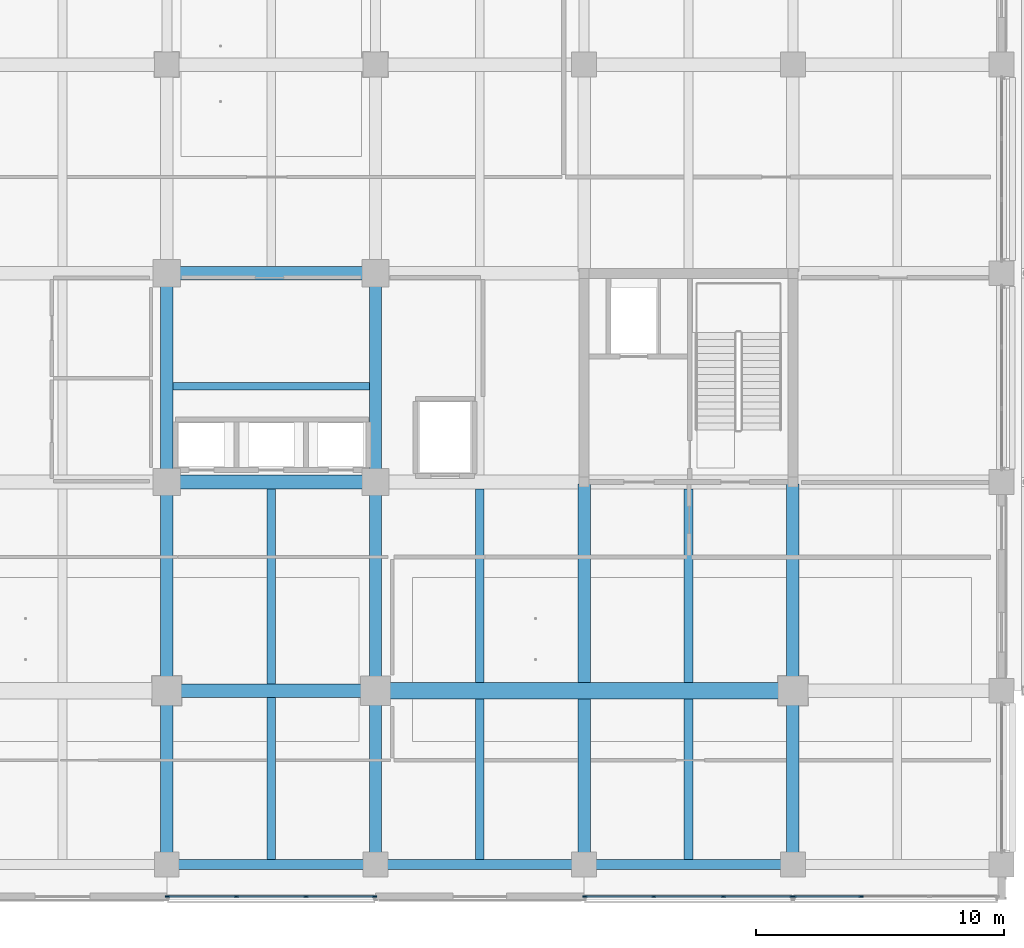
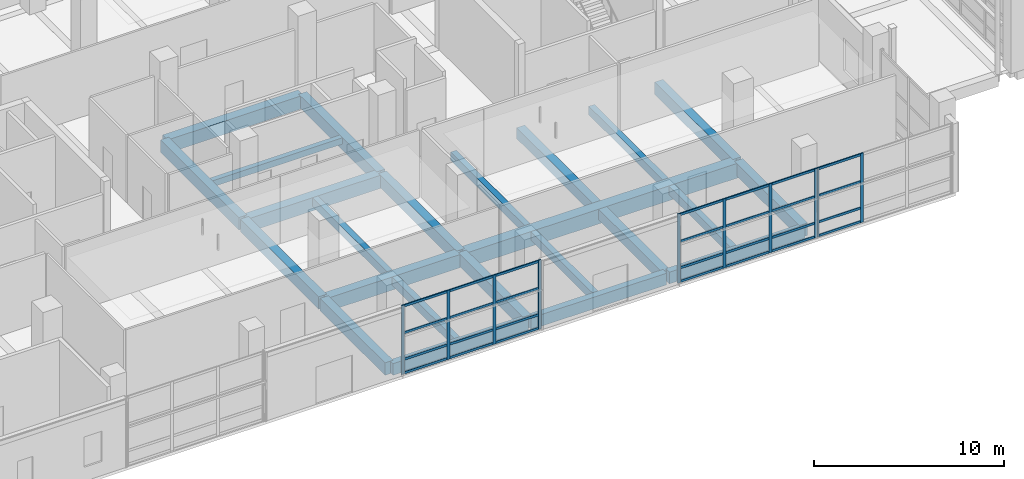
# One storey, part 29 of 140: 38 members, 24 beams, 3 elements without a shape of their own.
"""IFC4 building model written with IfcOpenShell, lengths in metres."""

from ifc_helpers import new_model, si_unit, direction, frame, origin, origin_2d, place, context, subcontext, project, spatial, rectangle, extrude, material, layer, layer_set, material_profile, profile_set, type_object, element, aggregate, save


model = new_model("IFC4")

# Units and contexts
model_context = context("Model", 3, precision=1e-05, world=origin(), true_north=direction((0.0, 1.0)))
body_context = subcontext(model_context, "Body", "Model", "MODEL_VIEW")
ifc_project = project(units=[si_unit("LENGTHUNIT", "METRE"), si_unit("AREAUNIT", "SQUARE_METRE"), si_unit("VOLUMEUNIT", "CUBIC_METRE"), si_unit("PLANEANGLEUNIT", "RADIAN"), si_unit("MASSUNIT", "GRAM", prefix="KILO")], contexts=[model_context])

# Site, building, storey
site_placement = place(None, origin())
site = spatial("IfcSite", under=ifc_project, at=site_placement, CompositionType="ELEMENT")
building_placement = place(site_placement, origin())
building = spatial("IfcBuilding", under=site, at=building_placement, Name="Telukmera Botanical Conservatory", CompositionType="ELEMENT")
storey_placement = place(building_placement, origin())
storey = spatial("IfcBuildingStorey", under=building, at=storey_placement, Name="L00", CompositionType="ELEMENT", Elevation=0.0)

# Beams
ifc_material_1 = material(Name="Concrete C40/50", Category="concrete")
ifc_material_profile_1 = material_profile(ifc_material_1, rectangle(XDim=0.5, YDim=0.699951171875, at=origin_2d()), Name="RC 500x700")
ifc_profile_set_1 = profile_set([ifc_material_profile_1], Name="Concrete C40/50")
beam_type_1 = type_object("IfcBeamType", Name="Beam_B14", PredefinedType="BEAM", material=ifc_profile_set_1)
beam_1_placement = place(storey_placement, frame((92.39990234375, 10.679931640625, -0.35009765625), z_axis=(0.0, 1.0, 0.0), x_axis=(-1.0, 0.0, 0.0)))
element("IfcBeam", 1, at=beam_1_placement, inside=storey, type_object=beam_type_1, Name="Tower Hall Secondary Girder L00", PredefinedType="BEAM", context=body_context, shape_type="SweptSolid", body=[
    extrude(rectangle(XDim=0.5, YDim=0.699951171875, at=origin_2d()), origin(), (0.0, 0.0, 1.0), 6.594970703125),
])
beam_2_placement = place(storey_placement, frame((92.39990234375, 17.925048828125, -0.35009765625), z_axis=(0.0, 1.0, 0.0), x_axis=(-1.0, 0.0, 0.0)))
element("IfcBeam", 2, at=beam_2_placement, inside=storey, type_object=beam_type_1, Name="Tower Hall Secondary Girder L00", PredefinedType="BEAM", context=body_context, shape_type="SweptSolid", body=[
    extrude(rectangle(XDim=0.5, YDim=0.699951171875, at=origin_2d()), origin(), (0.0, 0.0, 1.0), 7.994873046875),
])
ifc_material_profile_2 = material_profile(ifc_material_1, rectangle(XDim=0.64990234375, YDim=0.949951171875, at=origin_2d()), Name="RC 650x950")
ifc_profile_set_2 = profile_set([ifc_material_profile_2], Name="Concrete C40/50")
beam_type_2 = type_object("IfcBeamType", Name="Beam_B2", PredefinedType="BEAM", material=ifc_profile_set_2)
beam_3_placement = place(storey_placement, frame((84.080078125, 17.60009765625, -0.47509765625), z_axis=(1.0, 0.0, 0.0), x_axis=(0.0, 1.0, 0.0)))
element("IfcBeam", 3, at=beam_3_placement, inside=storey, type_object=beam_type_2, Name="Tower Grid Beam L00", PredefinedType="BEAM", context=body_context, shape_type="SweptSolid", body=[
    extrude(rectangle(XDim=0.64990234375, YDim=0.949951171875, at=origin_2d()), origin(), (0.0, 0.0, 1.0), 16.639892578125),
])
ifc_material_profile_3 = material_profile(ifc_material_1, rectangle(XDim=0.35009765625, YDim=0.550048828125, at=origin_2d()), Name="RC 350x550")
ifc_profile_set_3 = profile_set([ifc_material_profile_3], Name="Concrete C40/50")
beam_type_3 = type_object("IfcBeamType", Name="Beam_B21", PredefinedType="JOIST", material=ifc_profile_set_3)
beam_4_placement = place(storey_placement, frame((79.800048828125, 10.800048828125, -0.27490234375), z_axis=(0.0, 1.0, 0.0), x_axis=(-1.0, 0.0, 0.0)))
element("IfcBeam", 4, at=beam_4_placement, inside=storey, type_object=beam_type_3, Name="Tower Secondary Floor Joist L00", PredefinedType="JOIST", context=body_context, shape_type="SweptSolid", body=[
    extrude(rectangle(XDim=0.35009765625, YDim=0.550048828125, at=origin_2d()), origin(), (0.0, 0.0, 1.0), 6.52490234375),
])
beam_5_placement = place(storey_placement, frame((79.800048828125, 17.875, -0.27490234375), z_axis=(0.0, 1.0, 0.0), x_axis=(-1.0, 0.0, 0.0)))
element("IfcBeam", 5, at=beam_5_placement, inside=storey, type_object=beam_type_3, Name="Tower Secondary Floor Joist L00", PredefinedType="JOIST", context=body_context, shape_type="SweptSolid", body=[
    extrude(rectangle(XDim=0.35009765625, YDim=0.550048828125, at=origin_2d()), origin(), (0.0, 0.0, 1.0), 7.85009765625),
])
beam_6_placement = place(storey_placement, frame((88.199951171875, 10.800048828125, -0.27490234375), z_axis=(0.0, 1.0, 0.0), x_axis=(-1.0, 0.0, 0.0)))
element("IfcBeam", 6, at=beam_6_placement, inside=storey, type_object=beam_type_3, Name="Tower Secondary Floor Joist L00", PredefinedType="JOIST", context=body_context, shape_type="SweptSolid", body=[
    extrude(rectangle(XDim=0.35009765625, YDim=0.550048828125, at=origin_2d()), origin(), (0.0, 0.0, 1.0), 6.474853515625),
])
beam_7_placement = place(storey_placement, frame((88.199951171875, 17.925048828125, -0.27490234375), z_axis=(0.0, 1.0, 0.0), x_axis=(-1.0, 0.0, 0.0)))
element("IfcBeam", 7, at=beam_7_placement, inside=storey, type_object=beam_type_3, Name="Tower Secondary Floor Joist L00", PredefinedType="JOIST", context=body_context, shape_type="SweptSolid", body=[
    extrude(rectangle(XDim=0.35009765625, YDim=0.550048828125, at=origin_2d()), origin(), (0.0, 0.0, 1.0), 7.800048828125),
])
beam_8_placement = place(storey_placement, frame((96.60009765625, 10.800048828125, -0.27490234375), z_axis=(0.0, 1.0, 0.0), x_axis=(-1.0, 0.0, 0.0)))
element("IfcBeam", 8, at=beam_8_placement, inside=storey, type_object=beam_type_3, Name="Tower Secondary Floor Joist L00", PredefinedType="JOIST", context=body_context, shape_type="SweptSolid", body=[
    extrude(rectangle(XDim=0.35009765625, YDim=0.550048828125, at=origin_2d()), origin(), (0.0, 0.0, 1.0), 6.474853515625),
])
beam_9_placement = place(storey_placement, frame((96.60009765625, 17.925048828125, -0.27490234375), z_axis=(0.0, 1.0, 0.0), x_axis=(-1.0, 0.0, 0.0)))
element("IfcBeam", 9, at=beam_9_placement, inside=storey, type_object=beam_type_3, Name="Tower Secondary Floor Joist L00", PredefinedType="JOIST", context=body_context, shape_type="SweptSolid", body=[
    extrude(rectangle(XDim=0.35009765625, YDim=0.550048828125, at=origin_2d()), origin(), (0.0, 0.0, 1.0), 7.800048828125),
])
ifc_material_profile_4 = material_profile(ifc_material_1, rectangle(XDim=0.550048828125, YDim=0.85009765625, at=origin_2d()), Name="RC 550x850")
ifc_profile_set_4 = profile_set([ifc_material_profile_4], Name="Concrete C40/50")
beam_type_4 = type_object("IfcBeamType", Name="Beam_B4", PredefinedType="BEAM", material=ifc_profile_set_4)
for number, where, z_axis, x_axis, name in (
    (10, (75.679931640625, 17.60009765625, -0.425048828125), (1.0, 0.0, 0.0), (0.0, 1.0, 0.0), "Tower Grid Beam L00"),
    (11, (75.679931640625, 26.0, -0.425048828125), (1.0, 0.0, 0.0), (0.0, 1.0, 0.0), "Tower Grid Beam L00"),
    (12, (75.679931640625, 34.39990234375, -0.425048828125), (1.0, 0.0, 0.0), (0.0, 1.0, 0.0), "Tower Grid Beam L00"),
):
    element("IfcBeam", number, at=place(storey_placement, frame(where, z_axis=z_axis, x_axis=x_axis)), inside=storey, type_object=beam_type_4, Name=name, PredefinedType="BEAM", context=body_context, shape_type="SweptSolid", body=[
        extrude(rectangle(XDim=0.550048828125, YDim=0.85009765625, at=origin_2d()), origin(), (0.0, 0.0, 1.0), 8.239990234375),
    ])
ifc_material_profile_5 = material_profile(ifc_material_1, rectangle(XDim=0.5, YDim=0.800048828125, at=origin_2d()), Name="RC 500x800")
ifc_profile_set_5 = profile_set([ifc_material_profile_5], Name="Concrete C40/50")
beam_type_5 = type_object("IfcBeamType", Name="Beam_B5", PredefinedType="BEAM", material=ifc_profile_set_5)
beam_10_placement = place(storey_placement, frame((75.60009765625, 10.679931640625, -0.39990234375), z_axis=(0.0, 1.0, 0.0), x_axis=(-1.0, 0.0, 0.0)))
element("IfcBeam", 13, at=beam_10_placement, inside=storey, type_object=beam_type_5, Name="Tower Transverse Beam L00", PredefinedType="BEAM", context=body_context, shape_type="SweptSolid", body=[
    extrude(rectangle(XDim=0.5, YDim=0.800048828125, at=origin_2d()), origin(), (0.0, 0.0, 1.0), 6.840087890625),
])
for number, where, z_axis, x_axis, name in (
    (14, (75.60009765625, 17.679931640625, -0.39990234375), (0.0, 1.0, 0.0), (-1.0, 0.0, 0.0), "Tower Transverse Beam L00"),
    (15, (75.60009765625, 26.080078125, -0.39990234375), (0.0, 1.0, 0.0), (-1.0, 0.0, 0.0), "Tower Transverse Beam L00"),
):
    element("IfcBeam", number, at=place(storey_placement, frame(where, z_axis=z_axis, x_axis=x_axis)), inside=storey, type_object=beam_type_5, Name=name, PredefinedType="BEAM", context=body_context, shape_type="SweptSolid", body=[
        extrude(rectangle(XDim=0.5, YDim=0.800048828125, at=origin_2d()), origin(), (0.0, 0.0, 1.0), 8.239990234375),
    ])
beam_11_placement = place(storey_placement, frame((84.0, 10.679931640625, -0.39990234375), z_axis=(0.0, 1.0, 0.0), x_axis=(-1.0, 0.0, 0.0)))
element("IfcBeam", 16, at=beam_11_placement, inside=storey, type_object=beam_type_5, Name="Tower Transverse Beam L00", PredefinedType="BEAM", context=body_context, shape_type="SweptSolid", body=[
    extrude(rectangle(XDim=0.5, YDim=0.800048828125, at=origin_2d()), origin(), (0.0, 0.0, 1.0), 6.840087890625),
])
for number, where, z_axis, x_axis, name in (
    (17, (84.0, 17.679931640625, -0.39990234375), (0.0, 1.0, 0.0), (-1.0, 0.0, 0.0), "Tower Transverse Beam L00"),
    (18, (84.0, 26.080078125, -0.39990234375), (0.0, 1.0, 0.0), (-1.0, 0.0, 0.0), "Tower Transverse Beam L00"),
):
    element("IfcBeam", number, at=place(storey_placement, frame(where, z_axis=z_axis, x_axis=x_axis)), inside=storey, type_object=beam_type_5, Name=name, PredefinedType="BEAM", context=body_context, shape_type="SweptSolid", body=[
        extrude(rectangle(XDim=0.5, YDim=0.800048828125, at=origin_2d()), origin(), (0.0, 0.0, 1.0), 8.239990234375),
    ])
beam_12_placement = place(storey_placement, frame((100.800048828125, 10.679931640625, -0.39990234375), z_axis=(0.0, 1.0, 0.0), x_axis=(-1.0, 0.0, 0.0)))
element("IfcBeam", 19, at=beam_12_placement, inside=storey, type_object=beam_type_5, Name="Tower Transverse Beam L00", PredefinedType="BEAM", context=body_context, shape_type="SweptSolid", body=[
    extrude(rectangle(XDim=0.5, YDim=0.800048828125, at=origin_2d()), origin(), (0.0, 0.0, 1.0), 6.840087890625),
])
beam_13_placement = place(storey_placement, frame((100.800048828125, 17.679931640625, -0.39990234375), z_axis=(0.0, 1.0, 0.0), x_axis=(-1.0, 0.0, 0.0)))
element("IfcBeam", 20, at=beam_13_placement, inside=storey, type_object=beam_type_5, Name="Tower Transverse Beam L00", PredefinedType="BEAM", context=body_context, shape_type="SweptSolid", body=[
    extrude(rectangle(XDim=0.5, YDim=0.800048828125, at=origin_2d()), origin(), (0.0, 0.0, 1.0), 8.239990234375),
])
ifc_material_2 = material(Name="Precast concrete C40/50", Category="concrete")
ifc_material_profile_6 = material_profile(ifc_material_2, rectangle(XDim=0.300048828125, YDim=0.39990234375, at=origin_2d()), Name="PC 300x400")
ifc_profile_set_6 = profile_set([ifc_material_profile_6], Name="Precast concrete C40/50")
beam_type_6 = type_object("IfcBeamType", Name="Beam_LN1", PredefinedType="LINTEL", material=ifc_profile_set_6)
beam_14_placement = place(storey_placement, frame((75.85009765625, 29.85009765625, -0.199951171875), z_axis=(1.0, 0.0, 0.0), x_axis=(0.0, 1.0, 0.0)))
element("IfcBeam", 21, at=beam_14_placement, inside=storey, type_object=beam_type_6, Name="Tower Lift Bank Header Lintel L00", PredefinedType="LINTEL", context=body_context, shape_type="SweptSolid", body=[
    extrude(rectangle(XDim=0.300048828125, YDim=0.39990234375, at=origin_2d()), origin(), (0.0, 0.0, 1.0), 7.89990234375),
])
ifc_material_profile_7 = material_profile(ifc_material_2, rectangle(XDim=0.39990234375, YDim=0.75, at=origin_2d()), Name="PC 400x750")
ifc_profile_set_7 = profile_set([ifc_material_profile_7], Name="Precast concrete C40/50")
beam_type_7 = type_object("IfcBeamType", Name="Beam_SP1", PredefinedType="SPANDREL", material=ifc_profile_set_7)
for number, where, z_axis, x_axis, name in (
    (22, (75.679931640625, 10.60009765625, -0.375), (1.0, 0.0, 0.0), (0.0, 1.0, 0.0), "Tower Grid Beam L00"),
    (23, (84.080078125, 10.60009765625, -0.375), (1.0, 0.0, 0.0), (0.0, 1.0, 0.0), "Tower Grid Beam L00"),
    (24, (92.47998046875, 10.60009765625, -0.375), (1.0, 0.0, 0.0), (0.0, 1.0, 0.0), "Tower Grid Beam L00"),
):
    element("IfcBeam", number, at=place(storey_placement, frame(where, z_axis=z_axis, x_axis=x_axis)), inside=storey, type_object=beam_type_7, Name=name, PredefinedType="SPANDREL", context=body_context, shape_type="SweptSolid", body=[
        extrude(rectangle(XDim=0.39990234375, YDim=0.75, at=origin_2d()), origin(), (0.0, 0.0, 1.0), 8.239990234375),
    ])

# Curtain wall, members
ifc_material_3 = material(Name="Anodised aluminium 6063-T6", Category="aluminium")
ifc_layer = layer(ifc_material_3, 0.179931640625)
ifc_layer_set = layer_set([ifc_layer], Name="Anodised aluminium 6063-T6")
curtain_wall_type = type_object("IfcCurtainWallType", Name="Tower Boulevard Podium Hall Curtain Wall", PredefinedType="USERDEFINED", material=ifc_layer_set)
curtain_wall_1_placement = place(storey_placement, origin())
curtain_wall_1 = element("IfcCurtainWall", 25, at=curtain_wall_1_placement, inside=storey, type_object=curtain_wall_type, Name="Unitised Curtain Wall CW12 V4:L00:S4", ObjectType="UNITISED CURTAIN WALL", PredefinedType="USERDEFINED")
ifc_material_profile_8 = material_profile(ifc_material_3, rectangle(XDim=0.070068359375, YDim=0.179931640625, at=origin_2d()), Name="ALU MULL 70x180")
ifc_profile_set_8 = profile_set([ifc_material_profile_8], Name="Anodised aluminium 6063-T6")
member_type_1 = type_object("IfcMemberType", Name="Curtain Wall Extruded Mullion 70x180", PredefinedType="MULLION", material=ifc_profile_set_8)
member_1_placement = place(storey_placement, frame((75.636962890625, 9.320068359375, 0.0), z_axis=(0.0, 0.0, 1.0), x_axis=(0.0, 1.0, 0.0)))
member_1 = element("IfcMember", 26, at=member_1_placement, type_object=member_type_1, Name="CW12 mullion 1", PredefinedType="MULLION", context=body_context, shape_type="SweptSolid", body=[
    extrude(rectangle(XDim=0.070068359375, YDim=0.179931640625, at=origin_2d()), origin(), (0.0, 0.0, 1.0), 4.449951171875),
])
member_2_placement = place(storey_placement, frame((78.400634765625, 9.320068359375, 0.0), z_axis=(0.0, 0.0, 1.0), x_axis=(0.0, 1.0, 0.0)))
member_2 = element("IfcMember", 27, at=member_2_placement, type_object=member_type_1, Name="CW12 mullion 2", PredefinedType="MULLION", context=body_context, shape_type="SweptSolid", body=[
    extrude(rectangle(XDim=0.070068359375, YDim=0.179931640625, at=origin_2d()), origin(), (0.0, 0.0, 1.0), 4.449951171875),
])
member_3_placement = place(storey_placement, frame((81.19921875, 9.320068359375, 0.0), z_axis=(0.0, 0.0, 1.0), x_axis=(0.0, 1.0, 0.0)))
member_3 = element("IfcMember", 28, at=member_3_placement, type_object=member_type_1, Name="CW12 mullion 3", PredefinedType="MULLION", context=body_context, shape_type="SweptSolid", body=[
    extrude(rectangle(XDim=0.070068359375, YDim=0.179931640625, at=origin_2d()), origin(), (0.0, 0.0, 1.0), 4.449951171875),
])
member_4_placement = place(storey_placement, frame((83.962890625, 9.320068359375, 0.0), z_axis=(0.0, 0.0, 1.0), x_axis=(0.0, 1.0, 0.0)))
member_4 = element("IfcMember", 29, at=member_4_placement, type_object=member_type_1, Name="CW12 mullion 4", PredefinedType="MULLION", context=body_context, shape_type="SweptSolid", body=[
    extrude(rectangle(XDim=0.070068359375, YDim=0.179931640625, at=origin_2d()), origin(), (0.0, 0.0, 1.0), 4.449951171875),
])

curtain_wall_2_placement = place(storey_placement, origin())
curtain_wall_2 = element("IfcCurtainWall", 30, at=curtain_wall_2_placement, inside=storey, type_object=curtain_wall_type, Name="Unitised Curtain Wall CW12 V4:L00:S6", ObjectType="UNITISED CURTAIN WALL", PredefinedType="USERDEFINED")
member_5_placement = place(storey_placement, frame((92.43701171875, 9.320068359375, 0.0), z_axis=(0.0, 0.0, 1.0), x_axis=(0.0, 1.0, 0.0)))
member_5 = element("IfcMember", 31, at=member_5_placement, type_object=member_type_1, Name="CW12 mullion 1", PredefinedType="MULLION", context=body_context, shape_type="SweptSolid", body=[
    extrude(rectangle(XDim=0.070068359375, YDim=0.179931640625, at=origin_2d()), origin(), (0.0, 0.0, 1.0), 4.449951171875),
])
member_6_placement = place(storey_placement, frame((95.20068359375, 9.320068359375, 0.0), z_axis=(0.0, 0.0, 1.0), x_axis=(0.0, 1.0, 0.0)))
member_6 = element("IfcMember", 32, at=member_6_placement, type_object=member_type_1, Name="CW12 mullion 2", PredefinedType="MULLION", context=body_context, shape_type="SweptSolid", body=[
    extrude(rectangle(XDim=0.070068359375, YDim=0.179931640625, at=origin_2d()), origin(), (0.0, 0.0, 1.0), 4.449951171875),
])
member_7_placement = place(storey_placement, frame((97.999267578125, 9.320068359375, 0.0), z_axis=(0.0, 0.0, 1.0), x_axis=(0.0, 1.0, 0.0)))
member_7 = element("IfcMember", 33, at=member_7_placement, type_object=member_type_1, Name="CW12 mullion 3", PredefinedType="MULLION", context=body_context, shape_type="SweptSolid", body=[
    extrude(rectangle(XDim=0.070068359375, YDim=0.179931640625, at=origin_2d()), origin(), (0.0, 0.0, 1.0), 4.449951171875),
])
member_8_placement = place(storey_placement, frame((100.762939453125, 9.320068359375, 0.0), z_axis=(0.0, 0.0, 1.0), x_axis=(0.0, 1.0, 0.0)))
member_8 = element("IfcMember", 34, at=member_8_placement, type_object=member_type_1, Name="CW12 mullion 4", PredefinedType="MULLION", context=body_context, shape_type="SweptSolid", body=[
    extrude(rectangle(XDim=0.070068359375, YDim=0.179931640625, at=origin_2d()), origin(), (0.0, 0.0, 1.0), 4.449951171875),
])

curtain_wall_3_placement = place(storey_placement, origin())
curtain_wall_3 = element("IfcCurtainWall", 35, at=curtain_wall_3_placement, inside=storey, type_object=curtain_wall_type, Name="Unitised Curtain Wall CW12 V4:L00:S7", ObjectType="UNITISED CURTAIN WALL", PredefinedType="USERDEFINED")
member_9_placement = place(storey_placement, frame((100.8369140625, 9.320068359375, 0.0), z_axis=(0.0, 0.0, 1.0), x_axis=(0.0, 1.0, 0.0)))
member_9 = element("IfcMember", 36, at=member_9_placement, type_object=member_type_1, Name="CW12 mullion 1", PredefinedType="MULLION", context=body_context, shape_type="SweptSolid", body=[
    extrude(rectangle(XDim=0.070068359375, YDim=0.179931640625, at=origin_2d()), origin(), (0.0, 0.0, 1.0), 4.449951171875),
])
member_10_placement = place(storey_placement, frame((103.55078125, 9.320068359375, 0.0), z_axis=(0.0, 0.0, 1.0), x_axis=(0.0, 1.0, 0.0)))
member_10 = element("IfcMember", 37, at=member_10_placement, type_object=member_type_1, Name="CW12 mullion 2", PredefinedType="MULLION", context=body_context, shape_type="SweptSolid", body=[
    extrude(rectangle(XDim=0.070068359375, YDim=0.179931640625, at=origin_2d()), origin(), (0.0, 0.0, 1.0), 4.449951171875),
])

# Member
ifc_material_profile_9 = material_profile(ifc_material_3, rectangle(XDim=0.070068359375, YDim=0.14990234375, at=origin_2d()), Name="ALU TRAN 70x150")
ifc_profile_set_9 = profile_set([ifc_material_profile_9], Name="Anodised aluminium 6063-T6")
member_type_2 = type_object("IfcMemberType", Name="Curtain Wall Extruded Transom 70x150", PredefinedType="USERDEFINED", material=ifc_profile_set_9)
member_11_placement = place(storey_placement, frame((75.672119140625, 9.320068359375, 0.074951171875), z_axis=(1.0, 0.0, 0.0), x_axis=(0.0, 1.0, 0.0)))
member_11 = element("IfcMember", 38, at=member_11_placement, type_object=member_type_2, Name="CW12 transom 1.1", ObjectType="TRANSOM", PredefinedType="USERDEFINED", context=body_context, shape_type="SweptSolid", body=[
    extrude(rectangle(XDim=0.070068359375, YDim=0.14990234375, at=origin_2d()), origin(), (0.0, 0.0, 1.0), 2.693603515625),
])

member_12_placement = place(storey_placement, frame((75.672119140625, 9.320068359375, 0.949951171875), z_axis=(1.0, 0.0, 0.0), x_axis=(0.0, 1.0, 0.0)))
member_12 = element("IfcMember", 39, at=member_12_placement, type_object=member_type_2, Name="CW12 transom 1.2", ObjectType="TRANSOM", PredefinedType="USERDEFINED", context=body_context, shape_type="SweptSolid", body=[
    extrude(rectangle(XDim=0.070068359375, YDim=0.14990234375, at=origin_2d()), origin(), (0.0, 0.0, 1.0), 2.693603515625),
])

member_13_placement = place(storey_placement, frame((75.672119140625, 9.320068359375, 2.64990234375), z_axis=(1.0, 0.0, 0.0), x_axis=(0.0, 1.0, 0.0)))
member_13 = element("IfcMember", 40, at=member_13_placement, type_object=member_type_2, Name="CW12 transom 1.3", ObjectType="TRANSOM", PredefinedType="USERDEFINED", context=body_context, shape_type="SweptSolid", body=[
    extrude(rectangle(XDim=0.070068359375, YDim=0.14990234375, at=origin_2d()), origin(), (0.0, 0.0, 1.0), 2.693603515625),
])

member_14_placement = place(storey_placement, frame((75.672119140625, 9.320068359375, 4.375), z_axis=(1.0, 0.0, 0.0), x_axis=(0.0, 1.0, 0.0)))
member_14 = element("IfcMember", 41, at=member_14_placement, type_object=member_type_2, Name="CW12 transom 1.4", ObjectType="TRANSOM", PredefinedType="USERDEFINED", context=body_context, shape_type="SweptSolid", body=[
    extrude(rectangle(XDim=0.070068359375, YDim=0.14990234375, at=origin_2d()), origin(), (0.0, 0.0, 1.0), 2.693603515625),
])

member_15_placement = place(storey_placement, frame((78.435546875, 9.320068359375, 0.074951171875), z_axis=(1.0, 0.0, 0.0), x_axis=(0.0, 1.0, 0.0)))
member_15 = element("IfcMember", 42, at=member_15_placement, type_object=member_type_2, Name="CW12 transom 2.1", ObjectType="TRANSOM", PredefinedType="USERDEFINED", context=body_context, shape_type="SweptSolid", body=[
    extrude(rectangle(XDim=0.070068359375, YDim=0.14990234375, at=origin_2d()), origin(), (0.0, 0.0, 1.0), 2.728759765625),
])

member_16_placement = place(storey_placement, frame((78.435546875, 9.320068359375, 0.949951171875), z_axis=(1.0, 0.0, 0.0), x_axis=(0.0, 1.0, 0.0)))
member_16 = element("IfcMember", 43, at=member_16_placement, type_object=member_type_2, Name="CW12 transom 2.2", ObjectType="TRANSOM", PredefinedType="USERDEFINED", context=body_context, shape_type="SweptSolid", body=[
    extrude(rectangle(XDim=0.070068359375, YDim=0.14990234375, at=origin_2d()), origin(), (0.0, 0.0, 1.0), 2.728759765625),
])

member_17_placement = place(storey_placement, frame((78.435546875, 9.320068359375, 2.64990234375), z_axis=(1.0, 0.0, 0.0), x_axis=(0.0, 1.0, 0.0)))
member_17 = element("IfcMember", 44, at=member_17_placement, type_object=member_type_2, Name="CW12 transom 2.3", ObjectType="TRANSOM", PredefinedType="USERDEFINED", context=body_context, shape_type="SweptSolid", body=[
    extrude(rectangle(XDim=0.070068359375, YDim=0.14990234375, at=origin_2d()), origin(), (0.0, 0.0, 1.0), 2.728759765625),
])

member_18_placement = place(storey_placement, frame((78.435546875, 9.320068359375, 4.375), z_axis=(1.0, 0.0, 0.0), x_axis=(0.0, 1.0, 0.0)))
member_18 = element("IfcMember", 45, at=member_18_placement, type_object=member_type_2, Name="CW12 transom 2.4", ObjectType="TRANSOM", PredefinedType="USERDEFINED", context=body_context, shape_type="SweptSolid", body=[
    extrude(rectangle(XDim=0.070068359375, YDim=0.14990234375, at=origin_2d()), origin(), (0.0, 0.0, 1.0), 2.728759765625),
])

member_19_placement = place(storey_placement, frame((81.234375, 9.320068359375, 0.074951171875), z_axis=(1.0, 0.0, 0.0), x_axis=(0.0, 1.0, 0.0)))
member_19 = element("IfcMember", 46, at=member_19_placement, type_object=member_type_2, Name="CW12 transom 3.1", ObjectType="TRANSOM", PredefinedType="USERDEFINED", context=body_context, shape_type="SweptSolid", body=[
    extrude(rectangle(XDim=0.070068359375, YDim=0.14990234375, at=origin_2d()), origin(), (0.0, 0.0, 1.0), 2.693603515625),
])

member_20_placement = place(storey_placement, frame((81.234375, 9.320068359375, 0.949951171875), z_axis=(1.0, 0.0, 0.0), x_axis=(0.0, 1.0, 0.0)))
member_20 = element("IfcMember", 47, at=member_20_placement, type_object=member_type_2, Name="CW12 transom 3.2", ObjectType="TRANSOM", PredefinedType="USERDEFINED", context=body_context, shape_type="SweptSolid", body=[
    extrude(rectangle(XDim=0.070068359375, YDim=0.14990234375, at=origin_2d()), origin(), (0.0, 0.0, 1.0), 2.693603515625),
])

member_21_placement = place(storey_placement, frame((81.234375, 9.320068359375, 2.64990234375), z_axis=(1.0, 0.0, 0.0), x_axis=(0.0, 1.0, 0.0)))
member_21 = element("IfcMember", 48, at=member_21_placement, type_object=member_type_2, Name="CW12 transom 3.3", ObjectType="TRANSOM", PredefinedType="USERDEFINED", context=body_context, shape_type="SweptSolid", body=[
    extrude(rectangle(XDim=0.070068359375, YDim=0.14990234375, at=origin_2d()), origin(), (0.0, 0.0, 1.0), 2.693603515625),
])

member_22_placement = place(storey_placement, frame((81.234375, 9.320068359375, 4.375), z_axis=(1.0, 0.0, 0.0), x_axis=(0.0, 1.0, 0.0)))
member_22 = element("IfcMember", 49, at=member_22_placement, type_object=member_type_2, Name="CW12 transom 3.4", ObjectType="TRANSOM", PredefinedType="USERDEFINED", context=body_context, shape_type="SweptSolid", body=[
    extrude(rectangle(XDim=0.070068359375, YDim=0.14990234375, at=origin_2d()), origin(), (0.0, 0.0, 1.0), 2.693603515625),
])

aggregate(curtain_wall_1, [member_1, member_2, member_3, member_4, member_11, member_12, member_13, member_14, member_15, member_16, member_17, member_18, member_19, member_20, member_21, member_22])

member_23_placement = place(storey_placement, frame((92.471923828125, 9.320068359375, 0.074951171875), z_axis=(1.0, 0.0, 0.0), x_axis=(0.0, 1.0, 0.0)))
member_23 = element("IfcMember", 50, at=member_23_placement, type_object=member_type_2, Name="CW12 transom 1.1", ObjectType="TRANSOM", PredefinedType="USERDEFINED", context=body_context, shape_type="SweptSolid", body=[
    extrude(rectangle(XDim=0.070068359375, YDim=0.14990234375, at=origin_2d()), origin(), (0.0, 0.0, 1.0), 2.69384765625),
])

member_24_placement = place(storey_placement, frame((92.471923828125, 9.320068359375, 0.949951171875), z_axis=(1.0, 0.0, 0.0), x_axis=(0.0, 1.0, 0.0)))
member_24 = element("IfcMember", 51, at=member_24_placement, type_object=member_type_2, Name="CW12 transom 1.2", ObjectType="TRANSOM", PredefinedType="USERDEFINED", context=body_context, shape_type="SweptSolid", body=[
    extrude(rectangle(XDim=0.070068359375, YDim=0.14990234375, at=origin_2d()), origin(), (0.0, 0.0, 1.0), 2.69384765625),
])

member_25_placement = place(storey_placement, frame((92.471923828125, 9.320068359375, 2.64990234375), z_axis=(1.0, 0.0, 0.0), x_axis=(0.0, 1.0, 0.0)))
member_25 = element("IfcMember", 52, at=member_25_placement, type_object=member_type_2, Name="CW12 transom 1.3", ObjectType="TRANSOM", PredefinedType="USERDEFINED", context=body_context, shape_type="SweptSolid", body=[
    extrude(rectangle(XDim=0.070068359375, YDim=0.14990234375, at=origin_2d()), origin(), (0.0, 0.0, 1.0), 2.69384765625),
])

member_26_placement = place(storey_placement, frame((92.471923828125, 9.320068359375, 4.375), z_axis=(1.0, 0.0, 0.0), x_axis=(0.0, 1.0, 0.0)))
member_26 = element("IfcMember", 53, at=member_26_placement, type_object=member_type_2, Name="CW12 transom 1.4", ObjectType="TRANSOM", PredefinedType="USERDEFINED", context=body_context, shape_type="SweptSolid", body=[
    extrude(rectangle(XDim=0.070068359375, YDim=0.14990234375, at=origin_2d()), origin(), (0.0, 0.0, 1.0), 2.69384765625),
])

member_27_placement = place(storey_placement, frame((95.235595703125, 9.320068359375, 0.074951171875), z_axis=(1.0, 0.0, 0.0), x_axis=(0.0, 1.0, 0.0)))
member_27 = element("IfcMember", 54, at=member_27_placement, type_object=member_type_2, Name="CW12 transom 2.1", ObjectType="TRANSOM", PredefinedType="USERDEFINED", context=body_context, shape_type="SweptSolid", body=[
    extrude(rectangle(XDim=0.070068359375, YDim=0.14990234375, at=origin_2d()), origin(), (0.0, 0.0, 1.0), 2.728759765625),
])

member_28_placement = place(storey_placement, frame((95.235595703125, 9.320068359375, 0.949951171875), z_axis=(1.0, 0.0, 0.0), x_axis=(0.0, 1.0, 0.0)))
member_28 = element("IfcMember", 55, at=member_28_placement, type_object=member_type_2, Name="CW12 transom 2.2", ObjectType="TRANSOM", PredefinedType="USERDEFINED", context=body_context, shape_type="SweptSolid", body=[
    extrude(rectangle(XDim=0.070068359375, YDim=0.14990234375, at=origin_2d()), origin(), (0.0, 0.0, 1.0), 2.728759765625),
])

member_29_placement = place(storey_placement, frame((95.235595703125, 9.320068359375, 2.64990234375), z_axis=(1.0, 0.0, 0.0), x_axis=(0.0, 1.0, 0.0)))
member_29 = element("IfcMember", 56, at=member_29_placement, type_object=member_type_2, Name="CW12 transom 2.3", ObjectType="TRANSOM", PredefinedType="USERDEFINED", context=body_context, shape_type="SweptSolid", body=[
    extrude(rectangle(XDim=0.070068359375, YDim=0.14990234375, at=origin_2d()), origin(), (0.0, 0.0, 1.0), 2.728759765625),
])

member_30_placement = place(storey_placement, frame((95.235595703125, 9.320068359375, 4.375), z_axis=(1.0, 0.0, 0.0), x_axis=(0.0, 1.0, 0.0)))
member_30 = element("IfcMember", 57, at=member_30_placement, type_object=member_type_2, Name="CW12 transom 2.4", ObjectType="TRANSOM", PredefinedType="USERDEFINED", context=body_context, shape_type="SweptSolid", body=[
    extrude(rectangle(XDim=0.070068359375, YDim=0.14990234375, at=origin_2d()), origin(), (0.0, 0.0, 1.0), 2.728759765625),
])

member_31_placement = place(storey_placement, frame((98.034423828125, 9.320068359375, 0.074951171875), z_axis=(1.0, 0.0, 0.0), x_axis=(0.0, 1.0, 0.0)))
member_31 = element("IfcMember", 58, at=member_31_placement, type_object=member_type_2, Name="CW12 transom 3.1", ObjectType="TRANSOM", PredefinedType="USERDEFINED", context=body_context, shape_type="SweptSolid", body=[
    extrude(rectangle(XDim=0.070068359375, YDim=0.14990234375, at=origin_2d()), origin(), (0.0, 0.0, 1.0), 2.693603515625),
])

member_32_placement = place(storey_placement, frame((98.034423828125, 9.320068359375, 0.949951171875), z_axis=(1.0, 0.0, 0.0), x_axis=(0.0, 1.0, 0.0)))
member_32 = element("IfcMember", 59, at=member_32_placement, type_object=member_type_2, Name="CW12 transom 3.2", ObjectType="TRANSOM", PredefinedType="USERDEFINED", context=body_context, shape_type="SweptSolid", body=[
    extrude(rectangle(XDim=0.070068359375, YDim=0.14990234375, at=origin_2d()), origin(), (0.0, 0.0, 1.0), 2.693603515625),
])

member_33_placement = place(storey_placement, frame((98.034423828125, 9.320068359375, 2.64990234375), z_axis=(1.0, 0.0, 0.0), x_axis=(0.0, 1.0, 0.0)))
member_33 = element("IfcMember", 60, at=member_33_placement, type_object=member_type_2, Name="CW12 transom 3.3", ObjectType="TRANSOM", PredefinedType="USERDEFINED", context=body_context, shape_type="SweptSolid", body=[
    extrude(rectangle(XDim=0.070068359375, YDim=0.14990234375, at=origin_2d()), origin(), (0.0, 0.0, 1.0), 2.693603515625),
])

member_34_placement = place(storey_placement, frame((98.034423828125, 9.320068359375, 4.375), z_axis=(1.0, 0.0, 0.0), x_axis=(0.0, 1.0, 0.0)))
member_34 = element("IfcMember", 61, at=member_34_placement, type_object=member_type_2, Name="CW12 transom 3.4", ObjectType="TRANSOM", PredefinedType="USERDEFINED", context=body_context, shape_type="SweptSolid", body=[
    extrude(rectangle(XDim=0.070068359375, YDim=0.14990234375, at=origin_2d()), origin(), (0.0, 0.0, 1.0), 2.693603515625),
])

aggregate(curtain_wall_2, [member_5, member_6, member_7, member_8, member_23, member_24, member_25, member_26, member_27, member_28, member_29, member_30, member_31, member_32, member_33, member_34])

member_35_placement = place(storey_placement, frame((100.8720703125, 9.320068359375, 0.074951171875), z_axis=(1.0, 0.0, 0.0), x_axis=(0.0, 1.0, 0.0)))
member_35 = element("IfcMember", 62, at=member_35_placement, type_object=member_type_2, Name="CW12 transom 1.1", ObjectType="TRANSOM", PredefinedType="USERDEFINED", context=body_context, shape_type="SweptSolid", body=[
    extrude(rectangle(XDim=0.070068359375, YDim=0.14990234375, at=origin_2d()), origin(), (0.0, 0.0, 1.0), 2.6435546875),
])

member_36_placement = place(storey_placement, frame((100.8720703125, 9.320068359375, 0.949951171875), z_axis=(1.0, 0.0, 0.0), x_axis=(0.0, 1.0, 0.0)))
member_36 = element("IfcMember", 63, at=member_36_placement, type_object=member_type_2, Name="CW12 transom 1.2", ObjectType="TRANSOM", PredefinedType="USERDEFINED", context=body_context, shape_type="SweptSolid", body=[
    extrude(rectangle(XDim=0.070068359375, YDim=0.14990234375, at=origin_2d()), origin(), (0.0, 0.0, 1.0), 2.6435546875),
])

member_37_placement = place(storey_placement, frame((100.8720703125, 9.320068359375, 2.64990234375), z_axis=(1.0, 0.0, 0.0), x_axis=(0.0, 1.0, 0.0)))
member_37 = element("IfcMember", 64, at=member_37_placement, type_object=member_type_2, Name="CW12 transom 1.3", ObjectType="TRANSOM", PredefinedType="USERDEFINED", context=body_context, shape_type="SweptSolid", body=[
    extrude(rectangle(XDim=0.070068359375, YDim=0.14990234375, at=origin_2d()), origin(), (0.0, 0.0, 1.0), 2.6435546875),
])

member_38_placement = place(storey_placement, frame((100.8720703125, 9.320068359375, 4.375), z_axis=(1.0, 0.0, 0.0), x_axis=(0.0, 1.0, 0.0)))
member_38 = element("IfcMember", 65, at=member_38_placement, type_object=member_type_2, Name="CW12 transom 1.4", ObjectType="TRANSOM", PredefinedType="USERDEFINED", context=body_context, shape_type="SweptSolid", body=[
    extrude(rectangle(XDim=0.070068359375, YDim=0.14990234375, at=origin_2d()), origin(), (0.0, 0.0, 1.0), 2.6435546875),
])

aggregate(curtain_wall_3, [member_9, member_10, member_35, member_36, member_37, member_38])

save(model, "model.ifc")
